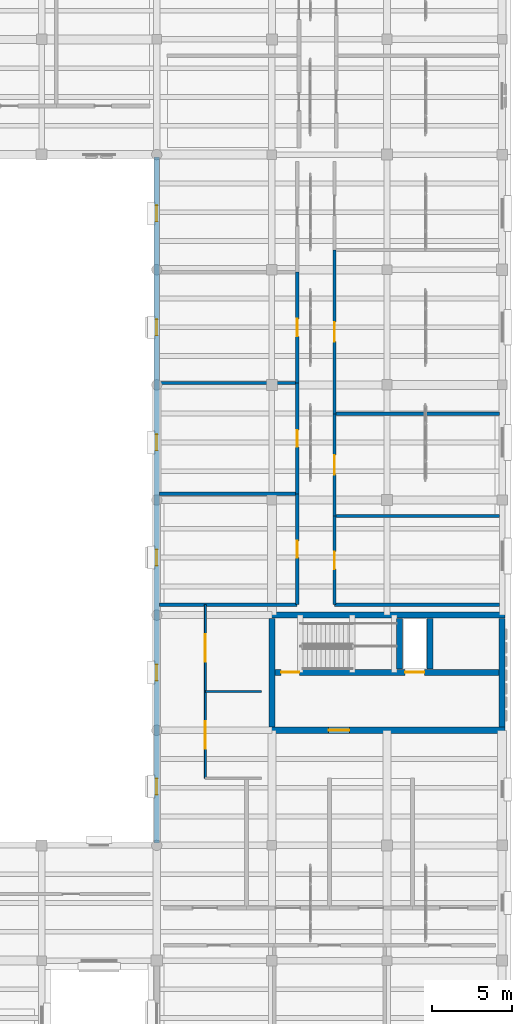
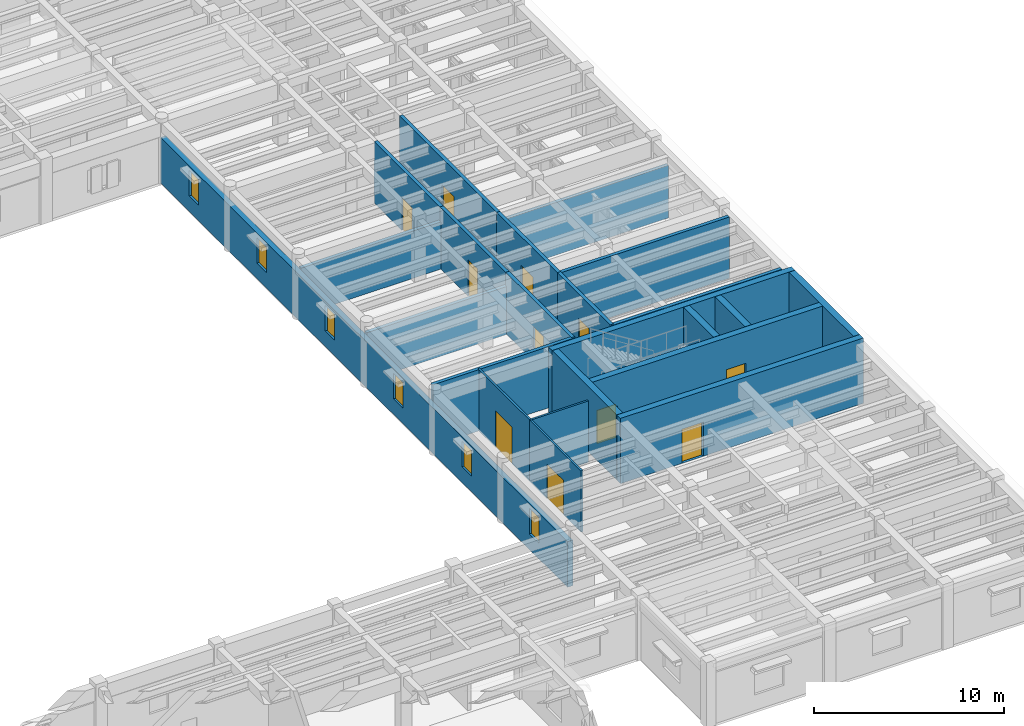
# One storey, part 52 of 66: 23 walls, 11 doors, 6 windows, 17 openings.
"""IFC4 building model written with IfcOpenShell, lengths in metres."""

from ifc_helpers import new_model, si_unit, direction, frame, frame_2d, origin, place, context, subcontext, project, spatial, rectangle, extrude, material, layer, layer_set, type_object, element, fill, save


model = new_model("IFC4")

# Units and contexts
model_context = context("Model", 3, precision=1e-05, world=origin(), true_north=direction((0.0, 1.0)))
body_context = subcontext(model_context, "Body", "Model", "MODEL_VIEW")
ifc_project = project(units=[si_unit("LENGTHUNIT", "METRE"), si_unit("AREAUNIT", "SQUARE_METRE"), si_unit("VOLUMEUNIT", "CUBIC_METRE"), si_unit("PLANEANGLEUNIT", "RADIAN"), si_unit("MASSUNIT", "GRAM", prefix="KILO")], contexts=[model_context])

# Site, building, storey
site_placement = place(None, origin())
site = spatial("IfcSite", under=ifc_project, at=site_placement, CompositionType="ELEMENT")
building_placement = place(site_placement, origin())
building = spatial("IfcBuilding", under=site, at=building_placement, Name="Mithqara Police Headquarters", CompositionType="ELEMENT")
storey_placement = place(building_placement, frame((0.0, 0.0, 9.60009765625)))
storey = spatial("IfcBuildingStorey", under=building, at=storey_placement, Name="L02", CompositionType="ELEMENT", Elevation=9.60009765625)

# Wall, openings, windows
ifc_material_1 = material(Name="Limestone ashlar masonry, 45 MPa", Category="masonry")
ifc_layer_1 = layer(ifc_material_1, 0.320068359375, Name="Limestone ashlar masonry, 45 MPa")
ifc_layer_set_1 = layer_set([ifc_layer_1], Name="Limestone ashlar masonry, 45 MPa")
wall_type_1 = type_object("IfcWallType", Name="EXT WALL LIMESTONE320", PredefinedType="SOLIDWALL", material=ifc_layer_set_1)
wall_1_placement = place(storey_placement, frame((144.60009765625, 78.43994140625, 0.0), z_axis=(0.0, 0.0, 1.0), x_axis=(0.0, -1.0, 0.0)))
wall_1 = element("IfcWall", 1, at=wall_1_placement, inside=storey, type_object=wall_type_1, Name="L02 Exterior Wall 5.1", PredefinedType="SOLIDWALL", context=body_context, shape_type="SweptSolid", body=[
    extrude(rectangle(XDim=42.8798828125, YDim=0.320068359375, at=frame_2d((21.43994140625, 0.0))), origin(), (0.0, 0.0, 1.0), 2.93994140625),
])
opening_1_placement = place(wall_1_placement, frame((38.860107421875, 0.0, 1.0)))
opening_1 = element("IfcOpeningElement", 2, at=opening_1_placement, cuts=wall_1, Name="Opening W-07", PredefinedType="OPENING", context=body_context, shape_type="SweptSolid", body=[
    extrude(rectangle(XDim=1.0, YDim=1.64990234375, at=frame_2d((0.5, 0.824951171875))), frame((0.0, 0.169921875, 0.0), z_axis=(0.0, -1.0, 0.0), x_axis=(1.0, 0.0, 0.0)), (0.0, 0.0, 1.0), 0.340087890625),
])
opening_2_placement = place(wall_1_placement, frame((31.739990234375, 0.0, 1.0)))
opening_2 = element("IfcOpeningElement", 3, at=opening_2_placement, cuts=wall_1, Name="Opening W-07", PredefinedType="OPENING", context=body_context, shape_type="SweptSolid", body=[
    extrude(rectangle(XDim=1.0, YDim=1.64990234375, at=frame_2d((0.5, 0.824951171875))), frame((0.0, 0.169921875, 0.0), z_axis=(0.0, -1.0, 0.0), x_axis=(1.0, 0.0, 0.0)), (0.0, 0.0, 1.0), 0.340087890625),
])
opening_3_placement = place(wall_1_placement, frame((24.5400390625, 0.0, 1.0)))
opening_3 = element("IfcOpeningElement", 4, at=opening_3_placement, cuts=wall_1, Name="Opening W-07", PredefinedType="OPENING", context=body_context, shape_type="SweptSolid", body=[
    extrude(rectangle(XDim=1.0, YDim=1.64990234375, at=frame_2d((0.5, 0.824951171875))), frame((0.0, 0.169921875, 0.0), z_axis=(0.0, -1.0, 0.0), x_axis=(1.0, 0.0, 0.0)), (0.0, 0.0, 1.0), 0.340087890625),
])
opening_4_placement = place(wall_1_placement, frame((17.340087890625, 0.0, 1.0)))
opening_4 = element("IfcOpeningElement", 5, at=opening_4_placement, cuts=wall_1, Name="Opening W-07", PredefinedType="OPENING", context=body_context, shape_type="SweptSolid", body=[
    extrude(rectangle(XDim=1.0, YDim=1.64990234375, at=frame_2d((0.5, 0.824951171875))), frame((0.0, 0.169921875, 0.0), z_axis=(0.0, -1.0, 0.0), x_axis=(1.0, 0.0, 0.0)), (0.0, 0.0, 1.0), 0.340087890625),
])
opening_5_placement = place(wall_1_placement, frame((10.139892578125, 0.0, 1.0)))
opening_5 = element("IfcOpeningElement", 6, at=opening_5_placement, cuts=wall_1, Name="Opening W-07", PredefinedType="OPENING", context=body_context, shape_type="SweptSolid", body=[
    extrude(rectangle(XDim=1.0, YDim=1.64990234375, at=frame_2d((0.5, 0.824951171875))), frame((0.0, 0.169921875, 0.0), z_axis=(0.0, -1.0, 0.0), x_axis=(1.0, 0.0, 0.0)), (0.0, 0.0, 1.0), 0.340087890625),
])
opening_6_placement = place(wall_1_placement, frame((3.02001953125, 0.0, 1.0)))
opening_6 = element("IfcOpeningElement", 7, at=opening_6_placement, cuts=wall_1, Name="Opening W-07", PredefinedType="OPENING", context=body_context, shape_type="SweptSolid", body=[
    extrude(rectangle(XDim=1.0, YDim=1.64990234375, at=frame_2d((0.5, 0.824951171875))), frame((0.0, 0.169921875, 0.0), z_axis=(0.0, -1.0, 0.0), x_axis=(1.0, 0.0, 0.0)), (0.0, 0.0, 1.0), 0.340087890625),
])
ifc_material_2 = material(Name="Spectrally selective double low-e glass", Category="glass")
window_type = type_object("IfcWindowType", Name="WINDOW 1000X1650", PartitioningType="SINGLE_PANEL", PredefinedType="WINDOW", material=ifc_material_2)
window_1_placement = place(opening_1_placement, origin())
window_1 = element("IfcWindow", 8, at=window_1_placement, inside=storey, type_object=window_type, Name="L02 Deep-Set Punched Window 5.1", OverallHeight=1.64990234375, OverallWidth=1.0, PartitioningType="SINGLE_PANEL", PredefinedType="WINDOW", context=body_context, shape_type="SweptSolid", body=[
    extrude(rectangle(XDim=1.0, YDim=1.64990234375, at=frame_2d((0.5, 0.824951171875))), frame((0.0, 0.030029296875, 0.0), z_axis=(0.0, -1.0, 0.0), x_axis=(1.0, 0.0, 0.0)), (0.0, 0.0, 1.0), 0.06005859375),
])
fill(opening_1, window_1)
window_2_placement = place(opening_2_placement, origin())
window_2 = element("IfcWindow", 9, at=window_2_placement, inside=storey, type_object=window_type, Name="L02 Deep-Set Punched Window 5.2", OverallHeight=1.64990234375, OverallWidth=1.0, PartitioningType="SINGLE_PANEL", PredefinedType="WINDOW", context=body_context, shape_type="SweptSolid", body=[
    extrude(rectangle(XDim=1.0, YDim=1.64990234375, at=frame_2d((0.5, 0.824951171875))), frame((0.0, 0.030029296875, 0.0), z_axis=(0.0, -1.0, 0.0), x_axis=(1.0, 0.0, 0.0)), (0.0, 0.0, 1.0), 0.06005859375),
])
fill(opening_2, window_2)
window_3_placement = place(opening_3_placement, origin())
window_3 = element("IfcWindow", 10, at=window_3_placement, inside=storey, type_object=window_type, Name="L02 Deep-Set Punched Window 5.3", OverallHeight=1.64990234375, OverallWidth=1.0, PartitioningType="SINGLE_PANEL", PredefinedType="WINDOW", context=body_context, shape_type="SweptSolid", body=[
    extrude(rectangle(XDim=1.0, YDim=1.64990234375, at=frame_2d((0.5, 0.824951171875))), frame((0.0, 0.030029296875, 0.0), z_axis=(0.0, -1.0, 0.0), x_axis=(1.0, 0.0, 0.0)), (0.0, 0.0, 1.0), 0.06005859375),
])
fill(opening_3, window_3)
window_4_placement = place(opening_4_placement, origin())
window_4 = element("IfcWindow", 11, at=window_4_placement, inside=storey, type_object=window_type, Name="L02 Deep-Set Punched Window 5.4", OverallHeight=1.64990234375, OverallWidth=1.0, PartitioningType="SINGLE_PANEL", PredefinedType="WINDOW", context=body_context, shape_type="SweptSolid", body=[
    extrude(rectangle(XDim=1.0, YDim=1.64990234375, at=frame_2d((0.5, 0.824951171875))), frame((0.0, 0.030029296875, 0.0), z_axis=(0.0, -1.0, 0.0), x_axis=(1.0, 0.0, 0.0)), (0.0, 0.0, 1.0), 0.06005859375),
])
fill(opening_4, window_4)
window_5_placement = place(opening_5_placement, origin())
window_5 = element("IfcWindow", 12, at=window_5_placement, inside=storey, type_object=window_type, Name="L02 Deep-Set Punched Window 5.5", OverallHeight=1.64990234375, OverallWidth=1.0, PartitioningType="SINGLE_PANEL", PredefinedType="WINDOW", context=body_context, shape_type="SweptSolid", body=[
    extrude(rectangle(XDim=1.0, YDim=1.64990234375, at=frame_2d((0.5, 0.824951171875))), frame((0.0, 0.030029296875, 0.0), z_axis=(0.0, -1.0, 0.0), x_axis=(1.0, 0.0, 0.0)), (0.0, 0.0, 1.0), 0.06005859375),
])
fill(opening_5, window_5)
window_6_placement = place(opening_6_placement, origin())
window_6 = element("IfcWindow", 13, at=window_6_placement, inside=storey, type_object=window_type, Name="L02 Deep-Set Punched Window 5.6", OverallHeight=1.64990234375, OverallWidth=1.0, PartitioningType="SINGLE_PANEL", PredefinedType="WINDOW", context=body_context, shape_type="SweptSolid", body=[
    extrude(rectangle(XDim=1.0, YDim=1.64990234375, at=frame_2d((0.5, 0.824951171875))), frame((0.0, 0.030029296875, 0.0), z_axis=(0.0, -1.0, 0.0), x_axis=(1.0, 0.0, 0.0)), (0.0, 0.0, 1.0), 0.06005859375),
])
fill(opening_6, window_6)

# Wall, opening, door
ifc_material_3 = material(Name="Gypsum acoustic stud partition", Category="gypsum")
ifc_layer_2 = layer(ifc_material_3, 0.1201171875, Name="Gypsum acoustic stud partition")
ifc_layer_set_2 = layer_set([ifc_layer_2], Name="Gypsum acoustic stud partition")
wall_type_2 = type_object("IfcWallType", Name="PART WALL 120", PredefinedType="PARTITIONING", material=ifc_layer_set_2)
wall_2_placement = place(storey_placement, frame((147.639892578125, 39.60009765625, 0.0), z_axis=(0.0, 0.0, 1.0), x_axis=(0.0, 1.0, 0.0)))
wall_2 = element("IfcWall", 14, at=wall_2_placement, inside=storey, type_object=wall_type_2, Name="L02 Corridor Wall Forensic Laboratory", PredefinedType="PARTITIONING", context=body_context, shape_type="SweptSolid", body=[
    extrude(rectangle(XDim=5.4248046875, YDim=0.1201171875, at=frame_2d((2.71240234375, 0.0))), origin(), (0.0, 0.0, 1.0), 3.93994140625),
])
opening_7_placement = place(wall_2_placement, frame((1.8525390625, 0.0, 0.0)))
opening_7 = element("IfcOpeningElement", 15, at=opening_7_placement, cuts=wall_2, Name="Opening D-23", PredefinedType="OPENING", context=body_context, shape_type="SweptSolid", body=[
    extrude(rectangle(XDim=1.719970703125, YDim=2.219970703125, at=frame_2d((0.85986328125, 1.10986328125))), frame((0.0, 0.070068359375, 0.0), z_axis=(0.0, -1.0, 0.0), x_axis=(1.0, 0.0, 0.0)), (0.0, 0.0, 1.0), 0.14013671875),
])
ifc_material_4 = material(Name="Bronze anodised aluminium 6063-T6", Category="aluminium")
door_type_1 = type_object("IfcDoorType", Name="INT DOOR 1720X2220", OperationType="NOTDEFINED", PredefinedType="DOOR", material=ifc_material_4)
door_1_placement = place(opening_7_placement, origin())
door_1 = element("IfcDoor", 16, at=door_1_placement, inside=storey, type_object=door_type_1, Name="Forensic Laboratory Entry Door", OperationType="DOUBLE_DOOR_SINGLE_SWING", OverallHeight=2.219970703125, OverallWidth=1.719970703125, PredefinedType="DOOR", context=body_context, shape_type="SweptSolid", body=[
    extrude(rectangle(XDim=1.719970703125, YDim=2.219970703125, at=frame_2d((0.85986328125, 1.10986328125))), frame((0.0, 0.02490234375, 0.0), z_axis=(0.0, -1.0, 0.0), x_axis=(1.0, 0.0, 0.0)), (0.0, 0.0, 1.0), 0.050048828125),
])
fill(opening_7, door_1)

# Wall
wall_3_placement = place(storey_placement, frame((147.639892578125, 45.02490234375, 0.0), z_axis=(0.0, 0.0, 1.0), x_axis=(1.0, 0.0, 0.0)))
element("IfcWall", 17, at=wall_3_placement, inside=storey, type_object=wall_type_2, Name="L02 Room Partition Forensic Laboratory", PredefinedType="PARTITIONING", context=body_context, shape_type="SweptSolid", body=[
    extrude(rectangle(XDim=3.510009765625, YDim=0.1201171875, at=frame_2d((1.7548828125, 0.0))), origin(), (0.0, 0.0, 1.0), 3.93994140625),
])

# Wall, opening, door
wall_4_placement = place(storey_placement, frame((147.639892578125, 45.02490234375, 0.0), z_axis=(0.0, 0.0, 1.0), x_axis=(0.0, 1.0, 0.0)))
wall_4 = element("IfcWall", 18, at=wall_4_placement, inside=storey, type_object=wall_type_2, Name="L02 Corridor Wall Ballistics Laboratory", PredefinedType="PARTITIONING", context=body_context, shape_type="SweptSolid", body=[
    extrude(rectangle(XDim=5.425048828125, YDim=0.1201171875, at=frame_2d((2.71240234375, 0.0))), origin(), (0.0, 0.0, 1.0), 3.93994140625),
])
opening_8_placement = place(wall_4_placement, frame((1.8525390625, 0.0, 0.0)))
opening_8 = element("IfcOpeningElement", 19, at=opening_8_placement, cuts=wall_4, Name="Opening D-24", PredefinedType="OPENING", context=body_context, shape_type="SweptSolid", body=[
    extrude(rectangle(XDim=1.719970703125, YDim=2.35009765625, at=frame_2d((0.85986328125, 1.175048828125))), frame((0.0, 0.070068359375, 0.0), z_axis=(0.0, -1.0, 0.0), x_axis=(1.0, 0.0, 0.0)), (0.0, 0.0, 1.0), 0.14013671875),
])
door_type_2 = type_object("IfcDoorType", Name="INT DOOR 1720X2350", OperationType="NOTDEFINED", PredefinedType="DOOR", material=ifc_material_4)
door_2_placement = place(opening_8_placement, origin())
door_2 = element("IfcDoor", 20, at=door_2_placement, inside=storey, type_object=door_type_2, Name="Ballistics Laboratory Entry Door", OperationType="DOUBLE_DOOR_SINGLE_SWING", OverallHeight=2.35009765625, OverallWidth=1.719970703125, PredefinedType="DOOR", context=body_context, shape_type="SweptSolid", body=[
    extrude(rectangle(XDim=1.719970703125, YDim=2.35009765625, at=frame_2d((0.85986328125, 1.175048828125))), frame((0.0, 0.02490234375, 0.0), z_axis=(0.0, -1.0, 0.0), x_axis=(1.0, 0.0, 0.0)), (0.0, 0.0, 1.0), 0.050048828125),
])
fill(opening_8, door_2)

# Wall
ifc_material_5 = material(Name="Concrete C40/50", Category="concrete")
ifc_layer_3 = layer(ifc_material_5, 0.2099609375, Name="Concrete C40/50")
ifc_layer_set_3 = layer_set([ifc_layer_3], Name="Concrete C40/50")
wall_type_3 = type_object("IfcWallType", Name="PART WALL 210", PredefinedType="PARTITIONING", material=ifc_layer_set_3)
wall_5_placement = place(storey_placement, frame((144.780029296875, 50.449951171875, 0.0), z_axis=(0.0, 0.0, 1.0), x_axis=(1.0, 0.0, 0.0)))
element("IfcWall", 21, at=wall_5_placement, inside=storey, type_object=wall_type_3, Name="L02 Partition End Closure E0", PredefinedType="PARTITIONING", context=body_context, shape_type="SweptSolid", body=[
    extrude(rectangle(XDim=8.599853515625, YDim=0.2099609375, at=frame_2d((4.2998046875, 0.0))), origin(), (0.0, 0.0, 1.0), 3.93994140625),
])

# Wall, opening, door
wall_6_placement = place(storey_placement, frame((153.3798828125, 50.449951171875, 0.0), z_axis=(0.0, 0.0, 1.0), x_axis=(0.0, 1.0, 0.0)))
wall_6 = element("IfcWall", 22, at=wall_6_placement, inside=storey, type_object=wall_type_3, Name="L02 Corridor Wall Forensic Laboratory", PredefinedType="PARTITIONING", context=body_context, shape_type="SweptSolid", body=[
    extrude(rectangle(XDim=6.93310546875, YDim=0.2099609375, at=frame_2d((3.466552734375, 0.0))), origin(), (0.0, 0.0, 1.0), 3.93994140625),
])
opening_9_placement = place(wall_6_placement, frame((2.946533203125, 0.0, 0.0)))
opening_9 = element("IfcOpeningElement", 23, at=opening_9_placement, cuts=wall_6, Name="Opening D-08", PredefinedType="OPENING", context=body_context, shape_type="SweptSolid", body=[
    extrude(rectangle(XDim=1.0400390625, YDim=2.219970703125, at=frame_2d((0.52001953125, 1.10986328125))), frame((0.0, 0.114990234375, 0.0), z_axis=(0.0, -1.0, 0.0), x_axis=(1.0, 0.0, 0.0)), (0.0, 0.0, 1.0), 0.22998046875),
])
ifc_material_6 = material(Name="Acoustic solid-core timber leaf", Category="wood")
door_type_3 = type_object("IfcDoorType", Name="INT DOOR 1040X2220", OperationType="NOTDEFINED", PredefinedType="DOOR", material=ifc_material_6)
door_3_placement = place(opening_9_placement, frame((1.0400390625, 0.0, 0.0), z_axis=(0.0, 0.0, 1.0), x_axis=(-1.0, 0.0, 0.0)))
door_3 = element("IfcDoor", 24, at=door_3_placement, inside=storey, type_object=door_type_3, Name="Forensic Laboratory Entry Door", OperationType="SINGLE_SWING_LEFT", OverallHeight=2.219970703125, OverallWidth=1.0400390625, PredefinedType="DOOR", context=body_context, shape_type="SweptSolid", body=[
    extrude(rectangle(XDim=1.0400390625, YDim=2.219970703125, at=frame_2d((0.52001953125, 1.10986328125))), frame((0.0, 0.02490234375, 0.0), z_axis=(0.0, -1.0, 0.0), x_axis=(1.0, 0.0, 0.0)), (0.0, 0.0, 1.0), 0.050048828125),
])
fill(opening_9, door_3)

# Wall
wall_7_placement = place(storey_placement, frame((144.780029296875, 57.383056640625, 0.0), z_axis=(0.0, 0.0, 1.0), x_axis=(1.0, 0.0, 0.0)))
element("IfcWall", 25, at=wall_7_placement, inside=storey, type_object=wall_type_3, Name="L02 Room Partition Forensic Laboratory", PredefinedType="PARTITIONING", context=body_context, shape_type="SweptSolid", body=[
    extrude(rectangle(XDim=8.599853515625, YDim=0.2099609375, at=frame_2d((4.2998046875, 0.0))), origin(), (0.0, 0.0, 1.0), 3.08984375),
])

# Wall, opening, door
wall_8_placement = place(storey_placement, frame((153.3798828125, 57.383056640625, 0.0), z_axis=(0.0, 0.0, 1.0), x_axis=(0.0, 1.0, 0.0)))
wall_8 = element("IfcWall", 26, at=wall_8_placement, inside=storey, type_object=wall_type_3, Name="L02 Corridor Wall Ballistics Laboratory", PredefinedType="PARTITIONING", context=body_context, shape_type="SweptSolid", body=[
    extrude(rectangle(XDim=6.931884765625, YDim=0.2099609375, at=frame_2d((3.4658203125, 0.0))), origin(), (0.0, 0.0, 1.0), 3.93994140625),
])
opening_10_placement = place(wall_8_placement, frame((2.946044921875, 0.0, 0.0)))
opening_10 = element("IfcOpeningElement", 27, at=opening_10_placement, cuts=wall_8, Name="Opening D-09", PredefinedType="OPENING", context=body_context, shape_type="SweptSolid", body=[
    extrude(rectangle(XDim=1.0400390625, YDim=2.35009765625, at=frame_2d((0.52001953125, 1.175048828125))), frame((0.0, 0.114990234375, 0.0), z_axis=(0.0, -1.0, 0.0), x_axis=(1.0, 0.0, 0.0)), (0.0, 0.0, 1.0), 0.22998046875),
])
door_type_4 = type_object("IfcDoorType", Name="INT DOOR 1040X2350", OperationType="NOTDEFINED", PredefinedType="DOOR", material=ifc_material_6)
door_4_placement = place(opening_10_placement, frame((1.0400390625, 0.0, 0.0), z_axis=(0.0, 0.0, 1.0), x_axis=(-1.0, 0.0, 0.0)))
door_4 = element("IfcDoor", 28, at=door_4_placement, inside=storey, type_object=door_type_4, Name="Ballistics Laboratory Entry Door", OperationType="SINGLE_SWING_RIGHT", OverallHeight=2.35009765625, OverallWidth=1.0400390625, PredefinedType="DOOR", context=body_context, shape_type="SweptSolid", body=[
    extrude(rectangle(XDim=1.0400390625, YDim=2.35009765625, at=frame_2d((0.52001953125, 1.175048828125))), frame((0.0, 0.02490234375, 0.0), z_axis=(0.0, -1.0, 0.0), x_axis=(1.0, 0.0, 0.0)), (0.0, 0.0, 1.0), 0.050048828125),
])
fill(opening_10, door_4)

# Wall
wall_9_placement = place(storey_placement, frame((144.780029296875, 64.31494140625, 0.0), z_axis=(0.0, 0.0, 1.0), x_axis=(1.0, 0.0, 0.0)))
element("IfcWall", 29, at=wall_9_placement, inside=storey, type_object=wall_type_3, Name="L02 Room Partition Ballistics Laboratory", PredefinedType="PARTITIONING", context=body_context, shape_type="SweptSolid", body=[
    extrude(rectangle(XDim=8.599853515625, YDim=0.2099609375, at=frame_2d((4.2998046875, 0.0))), origin(), (0.0, 0.0, 1.0), 3.039794921875),
])

# Wall, opening, door
wall_10_placement = place(storey_placement, frame((153.3798828125, 64.31494140625, 0.0), z_axis=(0.0, 0.0, 1.0), x_axis=(0.0, 1.0, 0.0)))
wall_10 = element("IfcWall", 30, at=wall_10_placement, inside=storey, type_object=wall_type_3, Name="L02 Corridor Wall Toxicology Laboratory", PredefinedType="PARTITIONING", context=body_context, shape_type="SweptSolid", body=[
    extrude(rectangle(XDim=6.93310546875, YDim=0.2099609375, at=frame_2d((3.466552734375, 0.0))), origin(), (0.0, 0.0, 1.0), 3.93994140625),
])
opening_11_placement = place(wall_10_placement, frame((2.91650390625, 0.0, 0.0)))
opening_11 = element("IfcOpeningElement", 31, at=opening_11_placement, cuts=wall_10, Name="Opening D-10", PredefinedType="OPENING", context=body_context, shape_type="SweptSolid", body=[
    extrude(rectangle(XDim=1.10009765625, YDim=2.10009765625, at=frame_2d((0.550048828125, 1.050048828125))), frame((0.0, 0.114990234375, 0.0), z_axis=(0.0, -1.0, 0.0), x_axis=(1.0, 0.0, 0.0)), (0.0, 0.0, 1.0), 0.22998046875),
])
door_type_5 = type_object("IfcDoorType", Name="INT DOOR 1100X2100", OperationType="NOTDEFINED", PredefinedType="DOOR", material=ifc_material_6)
door_5_placement = place(opening_11_placement, frame((1.10009765625, 0.0, 0.0), z_axis=(0.0, 0.0, 1.0), x_axis=(-1.0, 0.0, 0.0)))
door_5 = element("IfcDoor", 32, at=door_5_placement, inside=storey, type_object=door_type_5, Name="Toxicology Laboratory Entry Door", OperationType="SINGLE_SWING_LEFT", OverallHeight=2.10009765625, OverallWidth=1.10009765625, PredefinedType="DOOR", context=body_context, shape_type="SweptSolid", body=[
    extrude(rectangle(XDim=1.10009765625, YDim=2.10009765625, at=frame_2d((0.550048828125, 1.050048828125))), frame((0.0, 0.02490234375, 0.0), z_axis=(0.0, -1.0, 0.0), x_axis=(1.0, 0.0, 0.0)), (0.0, 0.0, 1.0), 0.050048828125),
])
fill(opening_11, door_5)

# Wall
wall_11_placement = place(storey_placement, frame((155.719970703125, 50.449951171875, 0.0), z_axis=(0.0, 0.0, 1.0), x_axis=(1.0, 0.0, 0.0)))
element("IfcWall", 33, at=wall_11_placement, inside=storey, type_object=wall_type_3, Name="L02 Partition End Closure E0", PredefinedType="PARTITIONING", context=body_context, shape_type="SweptSolid", body=[
    extrude(rectangle(XDim=10.300048828125, YDim=0.2099609375, at=frame_2d((5.14990234375, 0.0))), origin(), (0.0, 0.0, 1.0), 3.93994140625),
])

# Wall, opening, door
wall_12_placement = place(storey_placement, frame((155.719970703125, 50.449951171875, 0.0), z_axis=(0.0, 0.0, 1.0), x_axis=(0.0, 1.0, 0.0)))
wall_12 = element("IfcWall", 34, at=wall_12_placement, inside=storey, type_object=wall_type_3, Name="L02 Corridor Wall Forensic Laboratory", PredefinedType="PARTITIONING", context=body_context, shape_type="SweptSolid", body=[
    extrude(rectangle(XDim=5.546142578125, YDim=0.2099609375, at=frame_2d((2.77294921875, 0.0))), origin(), (0.0, 0.0, 1.0), 3.93994140625),
])
opening_12_placement = place(wall_12_placement, frame((2.222900390625, 0.0, 0.0)))
opening_12 = element("IfcOpeningElement", 35, at=opening_12_placement, cuts=wall_12, Name="Opening D-12", PredefinedType="OPENING", context=body_context, shape_type="SweptSolid", body=[
    extrude(rectangle(XDim=1.10009765625, YDim=2.35009765625, at=frame_2d((0.550048828125, 1.175048828125))), frame((0.0, 0.114990234375, 0.0), z_axis=(0.0, -1.0, 0.0), x_axis=(1.0, 0.0, 0.0)), (0.0, 0.0, 1.0), 0.22998046875),
])
door_type_6 = type_object("IfcDoorType", Name="INT DOOR 1100X2350", OperationType="NOTDEFINED", PredefinedType="DOOR", material=ifc_material_6)
door_6_placement = place(opening_12_placement, origin())
door_6 = element("IfcDoor", 36, at=door_6_placement, inside=storey, type_object=door_type_6, Name="Forensic Laboratory Entry Door", OperationType="SINGLE_SWING_LEFT", OverallHeight=2.35009765625, OverallWidth=1.10009765625, PredefinedType="DOOR", context=body_context, shape_type="SweptSolid", body=[
    extrude(rectangle(XDim=1.10009765625, YDim=2.35009765625, at=frame_2d((0.550048828125, 1.175048828125))), frame((0.0, 0.02490234375, 0.0), z_axis=(0.0, -1.0, 0.0), x_axis=(1.0, 0.0, 0.0)), (0.0, 0.0, 1.0), 0.050048828125),
])
fill(opening_12, door_6)

# Wall
wall_13_placement = place(storey_placement, frame((155.719970703125, 55.99609375, 0.0), z_axis=(0.0, 0.0, 1.0), x_axis=(1.0, 0.0, 0.0)))
element("IfcWall", 37, at=wall_13_placement, inside=storey, type_object=wall_type_3, Name="L02 Room Partition Forensic Laboratory", PredefinedType="PARTITIONING", context=body_context, shape_type="SweptSolid", body=[
    extrude(rectangle(XDim=10.300048828125, YDim=0.2099609375, at=frame_2d((5.14990234375, 0.0))), origin(), (0.0, 0.0, 1.0), 3.93994140625),
])

# Wall, opening, door
wall_14_placement = place(storey_placement, frame((155.719970703125, 55.99609375, 0.0), z_axis=(0.0, 0.0, 1.0), x_axis=(0.0, 1.0, 0.0)))
wall_14 = element("IfcWall", 38, at=wall_14_placement, inside=storey, type_object=wall_type_3, Name="L02 Corridor Wall Ballistics Laboratory", PredefinedType="PARTITIONING", context=body_context, shape_type="SweptSolid", body=[
    extrude(rectangle(XDim=6.39599609375, YDim=0.2099609375, at=frame_2d((3.197998046875, 0.0))), origin(), (0.0, 0.0, 1.0), 3.93994140625),
])
opening_13_placement = place(wall_14_placement, frame((2.587890625, 0.0, 0.0)))
opening_13 = element("IfcOpeningElement", 39, at=opening_13_placement, cuts=wall_14, Name="Opening D-13", PredefinedType="OPENING", context=body_context, shape_type="SweptSolid", body=[
    extrude(rectangle(XDim=1.219970703125, YDim=2.10009765625, at=frame_2d((0.60986328125, 1.050048828125))), frame((0.0, 0.114990234375, 0.0), z_axis=(0.0, -1.0, 0.0), x_axis=(1.0, 0.0, 0.0)), (0.0, 0.0, 1.0), 0.22998046875),
])
door_type_7 = type_object("IfcDoorType", Name="INT DOOR 1220X2100", OperationType="NOTDEFINED", PredefinedType="DOOR", material=ifc_material_6)
door_7_placement = place(opening_13_placement, origin())
door_7 = element("IfcDoor", 40, at=door_7_placement, inside=storey, type_object=door_type_7, Name="Ballistics Laboratory Entry Door", OperationType="SINGLE_SWING_RIGHT", OverallHeight=2.10009765625, OverallWidth=1.219970703125, PredefinedType="DOOR", context=body_context, shape_type="SweptSolid", body=[
    extrude(rectangle(XDim=1.219970703125, YDim=2.10009765625, at=frame_2d((0.60986328125, 1.050048828125))), frame((0.0, 0.02490234375, 0.0), z_axis=(0.0, -1.0, 0.0), x_axis=(1.0, 0.0, 0.0)), (0.0, 0.0, 1.0), 0.050048828125),
])
fill(opening_13, door_7)

# Wall
wall_15_placement = place(storey_placement, frame((155.719970703125, 62.39208984375, 0.0), z_axis=(0.0, 0.0, 1.0), x_axis=(1.0, 0.0, 0.0)))
element("IfcWall", 41, at=wall_15_placement, inside=storey, type_object=wall_type_3, Name="L02 Room Partition Ballistics Laboratory", PredefinedType="PARTITIONING", context=body_context, shape_type="SweptSolid", body=[
    extrude(rectangle(XDim=10.300048828125, YDim=0.2099609375, at=frame_2d((5.14990234375, 0.0))), origin(), (0.0, 0.0, 1.0), 3.389892578125),
])

# Wall, opening, door
wall_16_placement = place(storey_placement, frame((155.719970703125, 62.39208984375, 0.0), z_axis=(0.0, 0.0, 1.0), x_axis=(0.0, 1.0, 0.0)))
wall_16 = element("IfcWall", 42, at=wall_16_placement, inside=storey, type_object=wall_type_3, Name="L02 Corridor Wall Toxicology Laboratory", PredefinedType="PARTITIONING", context=body_context, shape_type="SweptSolid", body=[
    extrude(rectangle(XDim=10.241943359375, YDim=0.2099609375, at=frame_2d((5.12109375, 0.0))), origin(), (0.0, 0.0, 1.0), 3.93994140625),
])
opening_14_placement = place(wall_16_placement, frame((4.510986328125, 0.0, 0.0)))
opening_14 = element("IfcOpeningElement", 43, at=opening_14_placement, cuts=wall_16, Name="Opening D-14", PredefinedType="OPENING", context=body_context, shape_type="SweptSolid", body=[
    extrude(rectangle(XDim=1.219970703125, YDim=2.219970703125, at=frame_2d((0.60986328125, 1.10986328125))), frame((0.0, 0.114990234375, 0.0), z_axis=(0.0, -1.0, 0.0), x_axis=(1.0, 0.0, 0.0)), (0.0, 0.0, 1.0), 0.22998046875),
])
door_type_8 = type_object("IfcDoorType", Name="INT DOOR 1220X2220", OperationType="NOTDEFINED", PredefinedType="DOOR", material=ifc_material_6)
door_8_placement = place(opening_14_placement, origin())
door_8 = element("IfcDoor", 44, at=door_8_placement, inside=storey, type_object=door_type_8, Name="Toxicology Laboratory Entry Door", OperationType="SINGLE_SWING_LEFT", OverallHeight=2.219970703125, OverallWidth=1.219970703125, PredefinedType="DOOR", context=body_context, shape_type="SweptSolid", body=[
    extrude(rectangle(XDim=1.219970703125, YDim=2.219970703125, at=frame_2d((0.60986328125, 1.10986328125))), frame((0.0, 0.02490234375, 0.0), z_axis=(0.0, -1.0, 0.0), x_axis=(1.0, 0.0, 0.0)), (0.0, 0.0, 1.0), 0.050048828125),
])
fill(opening_14, door_8)

# Wall
ifc_material_7 = material(Name="Concrete C50/60", Category="concrete")
ifc_layer_4 = layer(ifc_material_7, 0.3798828125, Name="Concrete C50/60")
ifc_layer_set_4 = layer_set([ifc_layer_4], Name="Concrete C50/60")
wall_type_4 = type_object("IfcWallType", Name="SHEAR WALL 380", PredefinedType="SHEAR", material=ifc_layer_set_4)
wall_17_placement = place(storey_placement, frame((151.610107421875, 49.800048828125, 0.0), z_axis=(0.0, 0.0, 1.0), x_axis=(1.0, 0.0, 0.0)))
element("IfcWall", 45, at=wall_17_placement, inside=storey, type_object=wall_type_4, Name="Core C4 Forensics East Shear Wall N", PredefinedType="SHEAR", context=body_context, shape_type="SweptSolid", body=[
    extrude(rectangle(XDim=14.77978515625, YDim=0.3798828125, at=frame_2d((7.389892578125, 0.0))), origin(), (0.0, 0.0, 1.0), 4.199951171875),
])

# Wall, opening, door
wall_18_placement = place(storey_placement, frame((151.610107421875, 42.60009765625, 0.0), z_axis=(0.0, 0.0, 1.0), x_axis=(1.0, 0.0, 0.0)))
wall_18 = element("IfcWall", 46, at=wall_18_placement, inside=storey, type_object=wall_type_4, Name="Core C4 Forensics East Shear Wall S", PredefinedType="SHEAR", context=body_context, shape_type="SweptSolid", body=[
    extrude(rectangle(XDim=14.77978515625, YDim=0.3798828125, at=frame_2d((7.389892578125, 0.0))), origin(), (0.0, 0.0, 1.0), 4.199951171875),
])
opening_15_placement = place(wall_18_placement, frame((3.739990234375, 0.0, 0.0)))
opening_15 = element("IfcOpeningElement", 47, at=opening_15_placement, cuts=wall_18, Name="Opening FD-02", PredefinedType="OPENING", context=body_context, shape_type="SweptSolid", body=[
    extrude(rectangle(XDim=1.300048828125, YDim=2.199951171875, at=frame_2d((0.64990234375, 1.10009765625))), frame((0.0, 0.199951171875, 0.0), z_axis=(0.0, -1.0, 0.0), x_axis=(1.0, 0.0, 0.0)), (0.0, 0.0, 1.0), 0.39990234375),
])
ifc_material_8 = material(Name="Steel S355JR", Category="steel")
door_type_9 = type_object("IfcDoorType", Name="CORE DOOR LOBBY 1300X2200", OperationType="NOTDEFINED", PredefinedType="DOOR", material=ifc_material_8)
door_9_placement = place(opening_15_placement, frame((1.300048828125, 0.0, 0.0), z_axis=(0.0, 0.0, 1.0), x_axis=(-1.0, 0.0, 0.0)))
door_9 = element("IfcDoor", 48, at=door_9_placement, inside=storey, type_object=door_type_9, Name="Core C4 Forensics East Lobby Fire Door L02", OperationType="SINGLE_SWING_RIGHT", OverallHeight=2.199951171875, OverallWidth=1.300048828125, PredefinedType="DOOR", context=body_context, shape_type="SweptSolid", body=[
    extrude(rectangle(XDim=1.300048828125, YDim=2.199951171875, at=frame_2d((0.64990234375, 1.10009765625))), frame((0.0, 0.02490234375, 0.0), z_axis=(0.0, -1.0, 0.0), x_axis=(1.0, 0.0, 0.0)), (0.0, 0.0, 1.0), 0.050048828125),
])
fill(opening_15, door_9)

# Walls
for number, where, z_axis, x_axis, name in (
    (49, (151.800048828125, 42.800048828125, 0.0), (0.0, 0.0, 1.0), (0.0, 1.0, 0.0), "Core C4 Forensics East Shear Wall W"),
    (50, (166.199951171875, 42.800048828125, 0.0), (0.0, 0.0, 1.0), (0.0, 1.0, 0.0), "Core C4 Forensics East Shear Wall E"),
):
    element("IfcWall", number, at=place(storey_placement, frame(where, z_axis=z_axis, x_axis=x_axis)), inside=storey, type_object=wall_type_4, Name=name, PredefinedType="SHEAR", context=body_context, shape_type="SweptSolid", body=[
        extrude(rectangle(XDim=6.800048828125, YDim=0.3798828125, at=frame_2d((3.39990234375, 0.0))), origin(), (0.0, 0.0, 1.0), 4.199951171875),
    ])

# Wall, openings, doors
wall_19_placement = place(storey_placement, frame((152.0, 46.219970703125, 0.0), z_axis=(0.0, 0.0, 1.0), x_axis=(1.0, 0.0, 0.0)))
wall_19 = element("IfcWall", 51, at=wall_19_placement, inside=storey, type_object=wall_type_4, Name="Core C4 Forensics East Shear Wall M", PredefinedType="SHEAR", context=body_context, shape_type="SweptSolid", body=[
    extrude(rectangle(XDim=14.0, YDim=0.3798828125, at=frame_2d((7.0, 0.0))), origin(), (0.0, 0.0, 1.0), 4.199951171875),
])
opening_16_placement = place(wall_19_placement, frame((8.139892578125, 0.0, 0.0)))
opening_16 = element("IfcOpeningElement", 52, at=opening_16_placement, cuts=wall_19, Name="Opening LD-02", PredefinedType="OPENING", context=body_context, shape_type="SweptSolid", body=[
    extrude(rectangle(XDim=1.199951171875, YDim=2.14990234375, at=frame_2d((0.60009765625, 1.074951171875))), frame((0.0, 0.199951171875, 0.0), z_axis=(0.0, -1.0, 0.0), x_axis=(1.0, 0.0, 0.0)), (0.0, 0.0, 1.0), 0.39990234375),
])
opening_17_placement = place(wall_19_placement, frame((0.375, 0.0, 0.0)))
opening_17 = element("IfcOpeningElement", 53, at=opening_17_placement, cuts=wall_19, Name="Opening FD-01", PredefinedType="OPENING", context=body_context, shape_type="SweptSolid", body=[
    extrude(rectangle(XDim=1.14990234375, YDim=2.14990234375, at=frame_2d((0.574951171875, 1.074951171875))), frame((0.0, 0.199951171875, 0.0), z_axis=(0.0, -1.0, 0.0), x_axis=(1.0, 0.0, 0.0)), (0.0, 0.0, 1.0), 0.39990234375),
])
door_type_10 = type_object("IfcDoorType", Name="CORE DOOR STAIR 1150X2150", OperationType="NOTDEFINED", PredefinedType="DOOR", material=ifc_material_8)
door_10_placement = place(opening_17_placement, origin())
door_10 = element("IfcDoor", 54, at=door_10_placement, inside=storey, type_object=door_type_10, Name="Stair ST-04 Fire Door L02", OperationType="SINGLE_SWING_RIGHT", OverallHeight=2.14990234375, OverallWidth=1.14990234375, PredefinedType="DOOR", context=body_context, shape_type="SweptSolid", body=[
    extrude(rectangle(XDim=1.14990234375, YDim=2.14990234375, at=frame_2d((0.574951171875, 1.074951171875))), frame((0.0, 0.02490234375, 0.0), z_axis=(0.0, -1.0, 0.0), x_axis=(1.0, 0.0, 0.0)), (0.0, 0.0, 1.0), 0.050048828125),
])
fill(opening_17, door_10)
door_type_11 = type_object("IfcDoorType", Name="LIFT DOOR 1200X2150", OperationType="DOUBLE_DOOR_SLIDING", PredefinedType="DOOR", material=ifc_material_8)
door_11_placement = place(opening_16_placement, frame((1.199951171875, 0.0, 0.0), z_axis=(0.0, 0.0, 1.0), x_axis=(-1.0, 0.0, 0.0)))
door_11 = element("IfcDoor", 55, at=door_11_placement, inside=storey, type_object=door_type_11, Name="Lift Landing Door LP-06-L02", OperationType="DOUBLE_DOOR_SLIDING", OverallHeight=2.14990234375, OverallWidth=1.199951171875, PredefinedType="DOOR", context=body_context, shape_type="SweptSolid", body=[
    extrude(rectangle(XDim=1.199951171875, YDim=2.14990234375, at=frame_2d((0.60009765625, 1.074951171875))), frame((0.0, 0.02490234375, 0.0), z_axis=(0.0, -1.0, 0.0), x_axis=(1.0, 0.0, 0.0)), (0.0, 0.0, 1.0), 0.050048828125),
])
fill(opening_16, door_11)

# Walls
for number, where, z_axis, x_axis, name in (
    (56, (159.780029296875, 46.419921875, 0.0), (0.0, 0.0, 1.0), (0.0, 1.0, 0.0), "Core C4 Forensics East Shear Wall X"),
    (57, (161.699951171875, 46.419921875, 0.0), (0.0, 0.0, 1.0), (0.0, 1.0, 0.0), "Core C4 Forensics East Shear Wall L1"),
):
    element("IfcWall", number, at=place(storey_placement, frame(where, z_axis=z_axis, x_axis=x_axis)), inside=storey, type_object=wall_type_4, Name=name, PredefinedType="SHEAR", context=body_context, shape_type="SweptSolid", body=[
        extrude(rectangle(XDim=3.18017578125, YDim=0.3798828125, at=frame_2d((1.590087890625, 0.0))), origin(), (0.0, 0.0, 1.0), 4.199951171875),
    ])

save(model, "model.ifc")
